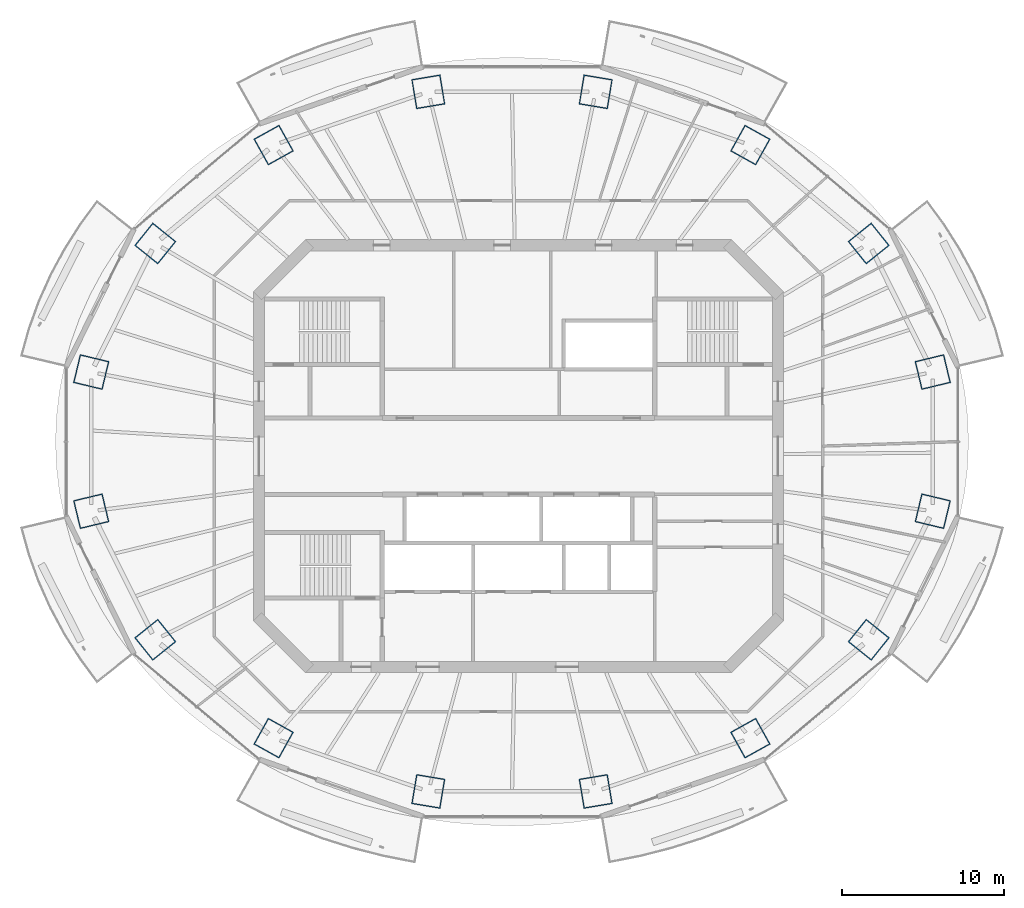
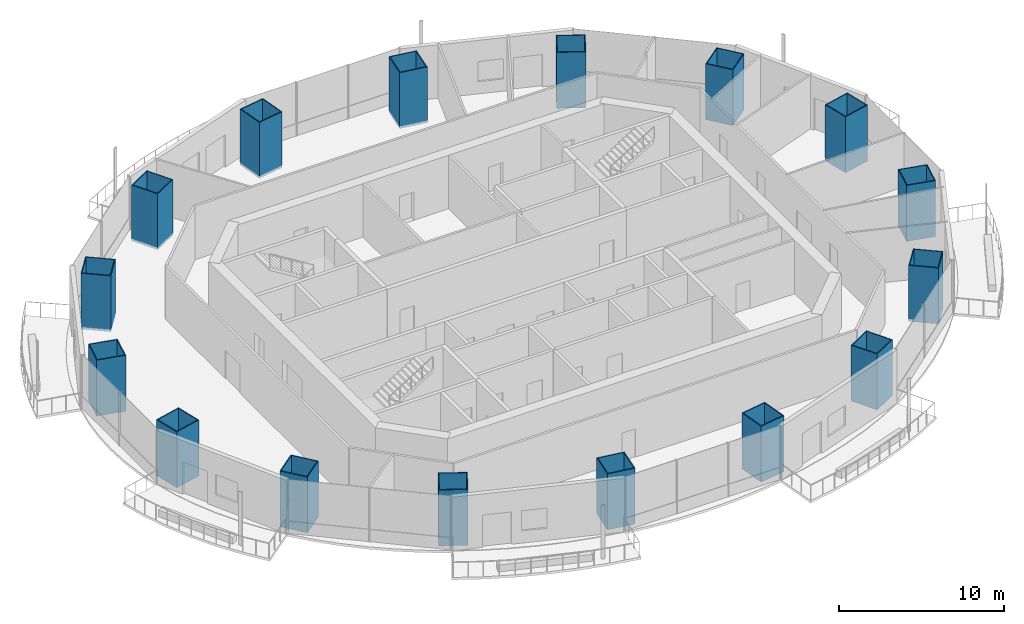
# One storey, part 1 of 16: 16 columns.
"""IFC4 building model written with IfcOpenShell, lengths in metres."""

import ifcopenshell
import ifcopenshell.guid

model = None  # the IFC model being written
_history = None  # IfcOwnerHistory: only IFC2X3 demands one
_inside = {}  # id of a spatial element -> (the spatial element, [elements in it])
_under = {}  # id of a project, library or spatial element -> (it, [spatial elements below it])
_declared = {}  # id of a project -> (the project, [libraries it declares])
_typed = {}  # id of a type object -> (the type object, [elements of that type])
_made_of = {}  # id of a material, layer set ... -> (it, [elements and type objects made of it])


def new_model(schema):
    """Start an empty IFC model of exactly this schema.

    Asked for "IFC4X3", IfcOpenShell would pick the latest addendum, in which some entities
    have other attributes; the version numbers below select the first issue.
    IFC2X3 requires an IfcOwnerHistory on every rooted entity: one is made here for all.
    """
    global model, _history
    if schema == "IFC4X3":
        model = ifcopenshell.file(schema_version=(4, 3, 0, 0))
    else:
        model = ifcopenshell.file(schema=schema)
    _inside.clear()
    _under.clear()
    _declared.clear()
    _typed.clear()
    _made_of.clear()
    _history = None
    if model.schema == "IFC2X3":
        org = make("IfcOrganization", Name="unknown")
        user = make(
            "IfcPersonAndOrganization",
            ThePerson=make("IfcPerson", FamilyName="unknown"),
            TheOrganization=org,
        )
        app = make(
            "IfcApplication",
            ApplicationDeveloper=org,
            Version="unknown",
            ApplicationFullName="unknown",
            ApplicationIdentifier="unknown",
        )
        _history = make(
            "IfcOwnerHistory",
            OwningUser=user,
            OwningApplication=app,
            ChangeAction="ADDED",
            CreationDate=0,
        )
    return model


def make(cls, **values):
    """One entity of the class cls with the attributes given. An attribute that is None is left unset."""
    return model.create_entity(
        cls, **{name: value for name, value in values.items() if value is not None}
    )


def rooted(cls, **values):
    """An entity with a GlobalId (a new one), such as an element, a storey or a relation."""
    return make(cls, GlobalId=ifcopenshell.guid.new(), OwnerHistory=_history, **values)


def si_unit(unit_type, name, prefix=None):
    """IfcSIUnit, for example si_unit("LENGTHUNIT", "METRE", prefix="MILLI")."""
    return make("IfcSIUnit", UnitType=unit_type, Prefix=prefix, Name=name)


def assignment(units):
    """IfcUnitAssignment: the units of a project."""
    return None if units is None else make("IfcUnitAssignment", Units=units)


def point(xyz):
    """IfcCartesianPoint."""
    return None if xyz is None else make("IfcCartesianPoint", Coordinates=xyz)


def direction(xyz):
    """IfcDirection."""
    return None if xyz is None else make("IfcDirection", DirectionRatios=xyz)


def frame(location, z_axis=None, x_axis=None):
    """IfcAxis2Placement3D, a coordinate frame: its origin and axes. An axis left out is left unset."""
    return make(
        "IfcAxis2Placement3D",
        Location=point(location),
        Axis=direction(z_axis),
        RefDirection=direction(x_axis),
    )


def frame_2d(location, x_axis=None):
    """IfcAxis2Placement2D, a coordinate frame in the plane: its origin and x axis."""
    return make(
        "IfcAxis2Placement2D", Location=point(location), RefDirection=direction(x_axis)
    )


def origin():
    """The frame at (0, 0, 0) with its axes left unset."""
    return frame((0.0, 0.0, 0.0))


def origin_2d():
    """The frame at (0, 0) in the plane with its x axis left unset."""
    return frame_2d((0.0, 0.0))


def place(relative_to, where):
    """IfcLocalPlacement: puts the frame where relative to a parent placement (None: the world)."""
    return make(
        "IfcLocalPlacement", PlacementRelTo=relative_to, RelativePlacement=where
    )


def context(
    kind, dimensions, precision=None, world=None, true_north=None, identifier=None
):
    """IfcGeometricRepresentationContext, for example the 3D "Model" context."""
    return make(
        "IfcGeometricRepresentationContext",
        ContextIdentifier=identifier,
        ContextType=kind,
        CoordinateSpaceDimension=dimensions,
        Precision=precision,
        WorldCoordinateSystem=world,
        TrueNorth=true_north,
    )


def subcontext(parent, identifier, kind, view, scale=None):
    """IfcGeometricRepresentationSubContext, for example "Body" below "Model"."""
    return make(
        "IfcGeometricRepresentationSubContext",
        ContextIdentifier=identifier,
        ContextType=kind,
        ParentContext=parent,
        TargetScale=scale,
        TargetView=view,
    )


def project(units=None, contexts=None):
    """IfcProject with its units and contexts."""
    return rooted(
        "IfcProject",
        Name="project",
        RepresentationContexts=contexts,
        UnitsInContext=assignment(units),
    )


def spatial(cls, under=None, at=None, **own):
    """A site, building, storey or space (cls), placed at a placement, below another one or the project."""
    s = rooted(cls, ObjectPlacement=at, **own)
    if under is not None:
        _under.setdefault(under.id(), (under, []))[1].append(s)
    return s


def profile(cls, at=None, kind="AREA", **sizes):
    """A parametric profile (cls). Its sizes go by their IFC names, for example OverallWidth=200.0."""
    return make(cls, ProfileType=kind, Position=at, **sizes)


def rectangle(**sizes):
    """IfcRectangleProfileDef."""
    return profile("IfcRectangleProfileDef", **sizes)


def hollow_rectangle(**sizes):
    """IfcRectangleHollowProfileDef."""
    return profile("IfcRectangleHollowProfileDef", **sizes)


def extrude(swept, where, along, depth):
    """IfcExtrudedAreaSolid: the profile swept, set in the frame where, extruded along a direction by depth."""
    return make(
        "IfcExtrudedAreaSolid",
        SweptArea=swept,
        Position=where,
        ExtrudedDirection=direction(along),
        Depth=depth,
    )


def shape(context_of_items, identifier, shape_type, items):
    """IfcShapeRepresentation: the items that make up one representation, for example the "Body"."""
    return make(
        "IfcShapeRepresentation",
        ContextOfItems=context_of_items,
        RepresentationIdentifier=identifier,
        RepresentationType=shape_type,
        Items=items,
    )


def material(Name=None, Category=None):
    """IfcMaterial."""
    return make("IfcMaterial", Name=Name, Category=Category)


def material_profile(
    of_material, cross_section, Name=None, Category=None, Priority=None
):
    """IfcMaterialProfile: a cross section and its material."""
    return make(
        "IfcMaterialProfile",
        Name=Name,
        Material=of_material,
        Profile=cross_section,
        Priority=Priority,
        Category=Category,
    )


def profile_set(profiles, Name=None, composite=None):
    """IfcMaterialProfileSet."""
    return make(
        "IfcMaterialProfileSet",
        Name=Name,
        MaterialProfiles=profiles,
        CompositeProfile=composite,
    )


def made_of(thing, what):
    """Note that an element or type object is made of a material, layer set ...; save() writes the relation."""
    if what is not None:
        _made_of.setdefault(what.id(), (what, []))[1].append(thing)
    return thing


def type_object(cls, material=None, **own):
    """A type object (cls), such as IfcWallType, which elements share."""
    return made_of(rooted(cls, **own), material)


def element(
    cls,
    number,
    at=None,
    inside=None,
    cuts=None,
    type_object=None,
    material=None,
    context=None,
    identifier="Body",
    shape_type=None,
    held_by="IfcProductDefinitionShape",
    body=None,
    shapes=None,
    **own,
):
    """One element of the class cls, such as IfcWall. Its Tag is "e" and its number.

    at: its placement. inside: the storey or other place that contains it. cuts: it is an
    opening in that element (IfcRelVoidsElement). A single representation is given by context,
    identifier, shape_type and body (its items); several are given by shapes. held_by: the class
    of the entity that holds the representations. save() writes the other relations.
    """
    e = rooted(cls, Tag="e%d" % number, ObjectPlacement=at, **own)
    if body is not None:
        shapes = [shape(context, identifier, shape_type, body)]
    if shapes is not None:
        e.Representation = make(held_by, Representations=shapes)
    if inside is not None:
        _inside.setdefault(inside.id(), (inside, []))[1].append(e)
    if cuts is not None:
        rooted(
            "IfcRelVoidsElement", RelatingBuildingElement=cuts, RelatedOpeningElement=e
        )
    if type_object is not None:
        _typed.setdefault(type_object.id(), (type_object, []))[1].append(e)
    return made_of(e, material)


def aggregate(whole, parts):
    """IfcRelAggregates: a whole, such as a stair, and the parts it consists of."""
    return rooted("IfcRelAggregates", RelatingObject=whole, RelatedObjects=parts)


def save(model, path):
    """Write the relations noted so far, then the file.

    IfcRelAggregates (storeys below a building ...), IfcRelContainedInSpatialStructure (elements
    in a storey), IfcRelDefinesByType, IfcRelAssociatesMaterial and IfcRelDeclares: one each for
    every whole, place, type object, material and project.
    """
    for whole, parts in _under.values():
        aggregate(whole, parts)
    for where, things in _inside.values():
        rooted(
            "IfcRelContainedInSpatialStructure",
            RelatedElements=things,
            RelatingStructure=where,
        )
    for kind, things in _typed.values():
        rooted("IfcRelDefinesByType", RelatedObjects=things, RelatingType=kind)
    for what, things in _made_of.values():
        rooted("IfcRelAssociatesMaterial", RelatedObjects=things, RelatingMaterial=what)
    for by, libraries in _declared.values():
        rooted("IfcRelDeclares", RelatingContext=by, RelatedDefinitions=libraries)
    model.write(path)


model = new_model("IFC4")

# Units and contexts
model_context = context("Model", 3, precision=1e-05, world=origin(), true_north=direction((0.0, 1.0)))
body_context = subcontext(model_context, "Body", "Model", "MODEL_VIEW")
ifc_project = project(units=[si_unit("LENGTHUNIT", "METRE"), si_unit("AREAUNIT", "SQUARE_METRE"), si_unit("VOLUMEUNIT", "CUBIC_METRE"), si_unit("PLANEANGLEUNIT", "RADIAN"), si_unit("MASSUNIT", "GRAM", prefix="KILO")], contexts=[model_context])

# Site, building, storey
site_placement = place(None, origin())
site = spatial("IfcSite", under=ifc_project, at=site_placement, CompositionType="ELEMENT")
building_placement = place(site_placement, origin())
building = spatial("IfcBuilding", under=site, at=building_placement, Name="Marenthal Gate Tower", CompositionType="ELEMENT")
storey_placement = place(building_placement, frame((0.0, 0.0, 313.550048828125)))
storey = spatial("IfcBuildingStorey", under=building, at=storey_placement, Name="L70", CompositionType="ELEMENT", Elevation=313.550048828125)

# Columns
ifc_material_1 = material(Name="Steel S460", Category="steel")
ifc_material_profile_1 = material_profile(ifc_material_1, hollow_rectangle(XDim=1.800048828125, YDim=1.85009765625, WallThickness=0.06005859375, at=origin_2d()), Name="CFT BOX 1850X1800X60")
ifc_material_2 = material(Name="Concrete 70 MPa", Category="concrete")
ifc_material_profile_2 = material_profile(ifc_material_2, rectangle(XDim=1.679931640625, YDim=1.72998046875, at=origin_2d()), Name="CFT BOX 1850X1800X60 INFILL")
ifc_profile_set = profile_set([ifc_material_profile_1, ifc_material_profile_2], Name="Steel S460 shell, Concrete 70 MPa infill")
column_type = type_object("IfcColumnType", Name="CFT BOX 1850X1800X60", PredefinedType="COLUMN", material=ifc_profile_set)
for number, where, z_axis, x_axis, name in (
    (1, (25.545654296875, 5.1904296875, -0.179931640625), (0.0, 0.0, 1.0), (0.232701963435, -0.97254809455, 0.0), "COL-L70-01"),
    (2, (21.595703125, 13.1181640625, -0.179931640625), (0.0, 0.0, 1.0), (0.626474583624, -0.779441849065, 0.0), "COL-L70-02"),
    (3, (14.297119140625, 19.185791015625, -0.179931640625), (0.0, 0.0, 1.0), (0.874186127954, -0.485590994245, 0.0), "COL-L70-03"),
    (4, (4.760986328125, 22.469482421875, -0.179931640625), (0.0, 0.0, 1.0), (0.986601791343, -0.163146882654, 0.0), "COL-L70-04"),
    (5, (-5.560791015625, 22.469482421875, -0.179931640625), (0.0, 0.0, 1.0), (0.986601791343, 0.163146882654, 0.0), "COL-L70-05"),
    (6, (-15.09716796875, 19.185791015625, -0.179931640625), (0.0, 0.0, 1.0), (0.874186127954, 0.485590994245, 0.0), "COL-L70-06"),
    (7, (-22.395751953125, 13.1181640625, -0.179931640625), (0.0, 0.0, 1.0), (0.626474583624, 0.779441849065, 0.0), "COL-L70-07"),
    (8, (-26.345703125, 5.1904296875, -0.179931640625), (0.0, 0.0, 1.0), (0.232701963435, 0.97254809455, 0.0), "COL-L70-08"),
    (9, (-26.345703125, -3.390380859375, -0.179931640625), (0.0, 0.0, 1.0), (-0.232701963435, 0.97254809455, 0.0), "COL-L70-09"),
    (10, (-22.395751953125, -11.318115234375, -0.179931640625), (0.0, 0.0, 1.0), (-0.626474583624, 0.779441849065, 0.0), "COL-L70-10"),
    (11, (-15.09716796875, -17.3857421875, -0.179931640625), (0.0, 0.0, 1.0), (-0.874186127954, 0.485590994245, 0.0), "COL-L70-11"),
    (12, (-5.560791015625, -20.66943359375, -0.179931640625), (0.0, 0.0, 1.0), (-0.986601791343, 0.163146882654, 0.0), "COL-L70-12"),
    (13, (4.760986328125, -20.66943359375, -0.179931640625), (0.0, 0.0, 1.0), (-0.986601791343, -0.163146882654, 0.0), "COL-L70-13"),
    (14, (14.297119140625, -17.3857421875, -0.179931640625), (0.0, 0.0, 1.0), (-0.874186127954, -0.485590994245, 0.0), "COL-L70-14"),
    (15, (21.595703125, -11.318115234375, -0.179931640625), (0.0, 0.0, 1.0), (-0.626474583624, -0.779441849065, 0.0), "COL-L70-15"),
    (16, (25.545654296875, -3.390380859375, -0.179931640625), (0.0, 0.0, 1.0), (-0.232701963435, -0.97254809455, 0.0), "COL-L70-16"),
):
    element("IfcColumn", number, at=place(storey_placement, frame(where, z_axis=z_axis, x_axis=x_axis)), inside=storey, type_object=column_type, Name=name, PredefinedType="COLUMN", context=body_context, shape_type="SweptSolid", body=[
        extrude(hollow_rectangle(XDim=1.800048828125, YDim=1.85009765625, WallThickness=0.06005859375, at=origin_2d()), origin(), (0.0, 0.0, 1.0), 4.14990234375),
    ])

save(model, "model.ifc")
